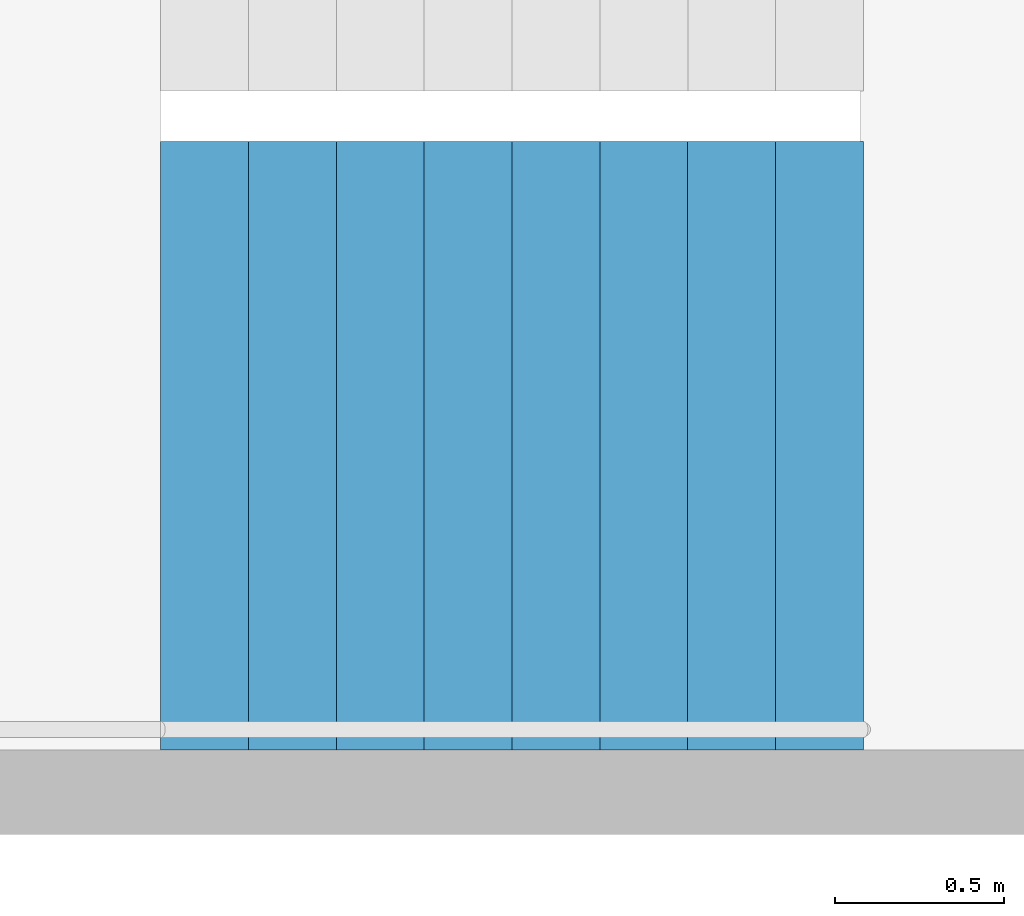
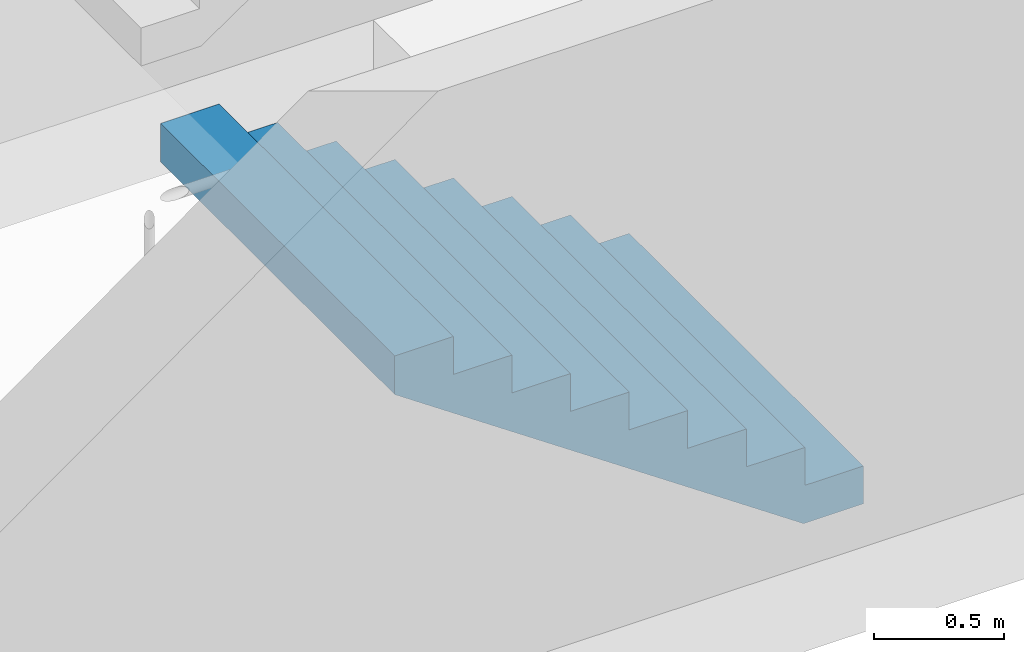
# One storey, part 26 of 34: 1 stair flight, 1 element without a shape of its own.
"""IFC4 building model written with IfcOpenShell, lengths in metres."""

from ifc_helpers import new_model, si_unit, direction, frame, origin, place, context, subcontext, project, spatial, triangles, material, type_object, element, aggregate, save


model = new_model("IFC4")

# Units and contexts
model_context = context("Model", 3, precision=1e-05, world=origin(), true_north=direction((0.0, 1.0)))
body_context = subcontext(model_context, "Body", "Model", "MODEL_VIEW")
ifc_project = project(units=[si_unit("LENGTHUNIT", "METRE"), si_unit("AREAUNIT", "SQUARE_METRE"), si_unit("VOLUMEUNIT", "CUBIC_METRE"), si_unit("PLANEANGLEUNIT", "RADIAN"), si_unit("MASSUNIT", "GRAM", prefix="KILO")], contexts=[model_context])

# Site, building, storey
site_placement = place(None, origin())
site = spatial("IfcSite", under=ifc_project, at=site_placement, CompositionType="ELEMENT")
building_placement = place(site_placement, origin())
building = spatial("IfcBuilding", under=site, at=building_placement, Name="Hakoniwa Tower and Hamabe Station Hall", CompositionType="ELEMENT")
storey_placement = place(building_placement, frame((0.0, 0.0, 94.60009765625)))
storey = spatial("IfcBuildingStorey", under=building, at=storey_placement, Name="L26", CompositionType="ELEMENT", Elevation=94.60009765625)

# Stair, stair flight
ifc_material_1 = material(Name="Concrete C40", Category="concrete")
stair_type = type_object("IfcStairType", Name="ESCAPE STAIR 1800", PredefinedType="HALF_TURN_STAIR", material=ifc_material_1)
stair_placement = place(storey_placement, origin())
stair = element("IfcStair", 1, at=stair_placement, inside=storey, type_object=stair_type, Name="Escape stair ST-3 L26", PredefinedType="HALF_TURN_STAIR")
ifc_material_2 = material(Name="Concrete C40", Category="concrete")
stair_flight_type = type_object("IfcStairFlightType", Name="STAIR FLIGHT 1800", PredefinedType="STRAIGHT", material=ifc_material_2)
stair_flight_placement = place(storey_placement, frame((24.39990234375, 4.64990234375, 0.0), z_axis=(0.0, 0.0, 1.0), x_axis=(-1.0, 0.0, 0.0)))
stair_flight = element("IfcStairFlight", 2, at=stair_flight_placement, type_object=stair_flight_type, Name="ST-3 flight 1", NumberOfRisers=9, NumberOfTreads=8, PredefinedType="STRAIGHT", RiserHeight=0.177777778, TreadLength=0.26, context=body_context, shape_type="Tessellation", body=[
    triangles([(0.0, 0.89990234375, 0.0), (0.260009765625, 0.89990234375, 0.0), (0.265625, 0.89990234375, 0.0), (0.52001953125, 0.89990234375, 0.174072265625), (0.780029296875, 0.89990234375, 0.351806640625), (1.0400390625, 0.89990234375, 0.529541015625), (1.300048828125, 0.89990234375, 0.707275390625), (1.56005859375, 0.89990234375, 0.885009765625), (1.820068359375, 0.89990234375, 1.062744140625), (2.080078125, 0.89990234375, 1.24072265625), (2.080078125, 0.89990234375, 1.422119140625), (1.820068359375, 0.89990234375, 1.422119140625), (1.820068359375, 0.89990234375, 1.244384765625), (1.56005859375, 0.89990234375, 1.244384765625), (1.56005859375, 0.89990234375, 1.066650390625), (1.300048828125, 0.89990234375, 1.066650390625), (1.300048828125, 0.89990234375, 0.888916015625), (1.0400390625, 0.89990234375, 0.888916015625), (1.0400390625, 0.89990234375, 0.711181640625), (0.780029296875, 0.89990234375, 0.711181640625), (0.780029296875, 0.89990234375, 0.533447265625), (0.52001953125, 0.89990234375, 0.533447265625), (0.52001953125, 0.89990234375, 0.35546875), (0.265625, 0.89990234375, 0.35546875), (0.260009765625, 0.89990234375, 0.35546875), (0.260009765625, 0.89990234375, 0.177734375), (0.0, 0.89990234375, 0.177734375), (0.0, 0.06005859375, 0.0), (0.260009765625, 0.06005859375, 0.0), (0.265625, 0.06005859375, 0.0), (0.52001953125, 0.06005859375, 0.174072265625), (0.780029296875, 0.06005859375, 0.351806640625), (1.0400390625, 0.06005859375, 0.529541015625), (1.300048828125, 0.06005859375, 0.707275390625), (1.56005859375, 0.06005859375, 0.885009765625), (1.820068359375, 0.06005859375, 1.062744140625), (2.080078125, 0.06005859375, 1.24072265625), (2.080078125, 0.06005859375, 1.422119140625), (1.820068359375, 0.06005859375, 1.422119140625), (1.820068359375, 0.06005859375, 1.244384765625), (1.56005859375, 0.06005859375, 1.244384765625), (1.56005859375, 0.06005859375, 1.066650390625), (1.300048828125, 0.06005859375, 1.066650390625), (1.300048828125, 0.06005859375, 0.888916015625), (1.0400390625, 0.06005859375, 0.888916015625), (1.0400390625, 0.06005859375, 0.711181640625), (0.780029296875, 0.06005859375, 0.711181640625), (0.780029296875, 0.06005859375, 0.533447265625), (0.52001953125, 0.06005859375, 0.533447265625), (0.52001953125, 0.06005859375, 0.35546875), (0.265625, 0.06005859375, 0.35546875), (0.260009765625, 0.06005859375, 0.35546875), (0.260009765625, 0.06005859375, 0.177734375), (0.0, 0.06005859375, 0.177734375), (0.0, 0.04296875, 0.0), (0.260009765625, 0.04296875, 0.0), (0.265625, 0.04296875, 0.0), (0.52001953125, 0.04296875, 0.174072265625), (0.780029296875, 0.04296875, 0.351806640625), (1.0400390625, 0.04296875, 0.529541015625), (1.300048828125, 0.04296875, 0.707275390625), (1.56005859375, 0.04296875, 0.885009765625), (1.820068359375, 0.04296875, 1.062744140625), (2.080078125, 0.04296875, 1.24072265625), (2.080078125, 0.04296875, 1.422119140625), (1.820068359375, 0.04296875, 1.422119140625), (1.820068359375, 0.04296875, 1.244384765625), (1.56005859375, 0.04296875, 1.244384765625), (1.56005859375, 0.04296875, 1.066650390625), (1.300048828125, 0.04296875, 1.066650390625), (1.300048828125, 0.04296875, 0.888916015625), (1.0400390625, 0.04296875, 0.888916015625), (1.0400390625, 0.04296875, 0.711181640625), (0.780029296875, 0.04296875, 0.711181640625), (0.780029296875, 0.04296875, 0.533447265625), (0.52001953125, 0.04296875, 0.533447265625), (0.52001953125, 0.04296875, 0.35546875), (0.265625, 0.04296875, 0.35546875), (0.260009765625, 0.04296875, 0.35546875), (0.260009765625, 0.04296875, 0.177734375), (0.0, 0.04296875, 0.177734375), (0.0, 0.025634765625, 0.0), (0.260009765625, 0.025634765625, 0.0), (0.265625, 0.025634765625, 0.0), (0.52001953125, 0.025634765625, 0.174072265625), (0.780029296875, 0.025634765625, 0.351806640625), (1.0400390625, 0.025634765625, 0.529541015625), (1.300048828125, 0.025634765625, 0.707275390625), (1.56005859375, 0.025634765625, 0.885009765625), (1.820068359375, 0.025634765625, 1.062744140625), (2.080078125, 0.025634765625, 1.24072265625), (2.080078125, 0.025634765625, 1.422119140625), (1.820068359375, 0.025634765625, 1.422119140625), (1.820068359375, 0.025634765625, 1.244384765625), (1.56005859375, 0.025634765625, 1.244384765625), (1.56005859375, 0.025634765625, 1.066650390625), (1.300048828125, 0.025634765625, 1.066650390625), (1.300048828125, 0.025634765625, 0.888916015625), (1.0400390625, 0.025634765625, 0.888916015625), (1.0400390625, 0.025634765625, 0.711181640625), (0.780029296875, 0.025634765625, 0.711181640625), (0.780029296875, 0.025634765625, 0.533447265625), (0.52001953125, 0.025634765625, 0.533447265625), (0.52001953125, 0.025634765625, 0.35546875), (0.265625, 0.025634765625, 0.35546875), (0.260009765625, 0.025634765625, 0.35546875), (0.260009765625, 0.025634765625, 0.177734375), (0.0, 0.025634765625, 0.177734375), (0.0, 0.008544921875, 0.0), (0.260009765625, 0.008544921875, 0.0), (0.265625, 0.008544921875, 0.0), (0.52001953125, 0.008544921875, 0.174072265625), (0.780029296875, 0.008544921875, 0.351806640625), (1.0400390625, 0.008544921875, 0.529541015625), (1.300048828125, 0.008544921875, 0.707275390625), (1.56005859375, 0.008544921875, 0.885009765625), (1.820068359375, 0.008544921875, 1.062744140625), (2.080078125, 0.008544921875, 1.24072265625), (2.080078125, 0.008544921875, 1.422119140625), (1.820068359375, 0.008544921875, 1.422119140625), (1.820068359375, 0.008544921875, 1.244384765625), (1.56005859375, 0.008544921875, 1.244384765625), (1.56005859375, 0.008544921875, 1.066650390625), (1.300048828125, 0.008544921875, 1.066650390625), (1.300048828125, 0.008544921875, 0.888916015625), (1.0400390625, 0.008544921875, 0.888916015625), (1.0400390625, 0.008544921875, 0.711181640625), (0.780029296875, 0.008544921875, 0.711181640625), (0.780029296875, 0.008544921875, 0.533447265625), (0.52001953125, 0.008544921875, 0.533447265625), (0.52001953125, 0.008544921875, 0.35546875), (0.265625, 0.008544921875, 0.35546875), (0.260009765625, 0.008544921875, 0.35546875), (0.260009765625, 0.008544921875, 0.177734375), (0.0, 0.008544921875, 0.177734375), (0.0, -0.008544921875, 0.0), (0.260009765625, -0.008544921875, 0.0), (0.265625, -0.008544921875, 0.0), (0.52001953125, -0.008544921875, 0.174072265625), (0.780029296875, -0.008544921875, 0.351806640625), (1.0400390625, -0.008544921875, 0.529541015625), (1.300048828125, -0.008544921875, 0.707275390625), (1.56005859375, -0.008544921875, 0.885009765625), (1.820068359375, -0.008544921875, 1.062744140625), (2.080078125, -0.008544921875, 1.24072265625), (2.080078125, -0.008544921875, 1.422119140625), (1.820068359375, -0.008544921875, 1.422119140625), (1.820068359375, -0.008544921875, 1.244384765625), (1.56005859375, -0.008544921875, 1.244384765625), (1.56005859375, -0.008544921875, 1.066650390625), (1.300048828125, -0.008544921875, 1.066650390625), (1.300048828125, -0.008544921875, 0.888916015625), (1.0400390625, -0.008544921875, 0.888916015625), (1.0400390625, -0.008544921875, 0.711181640625), (0.780029296875, -0.008544921875, 0.711181640625), (0.780029296875, -0.008544921875, 0.533447265625), (0.52001953125, -0.008544921875, 0.533447265625), (0.52001953125, -0.008544921875, 0.35546875), (0.265625, -0.008544921875, 0.35546875), (0.260009765625, -0.008544921875, 0.35546875), (0.260009765625, -0.008544921875, 0.177734375), (0.0, -0.008544921875, 0.177734375), (0.0, -0.025634765625, 0.0), (0.260009765625, -0.025634765625, 0.0), (0.265625, -0.025634765625, 0.0), (0.52001953125, -0.025634765625, 0.174072265625), (0.780029296875, -0.025634765625, 0.351806640625), (1.0400390625, -0.025634765625, 0.529541015625), (1.300048828125, -0.025634765625, 0.707275390625), (1.56005859375, -0.025634765625, 0.885009765625), (1.820068359375, -0.025634765625, 1.062744140625), (2.080078125, -0.025634765625, 1.24072265625), (2.080078125, -0.025634765625, 1.422119140625), (1.820068359375, -0.025634765625, 1.422119140625), (1.820068359375, -0.025634765625, 1.244384765625), (1.56005859375, -0.025634765625, 1.244384765625), (1.56005859375, -0.025634765625, 1.066650390625), (1.300048828125, -0.025634765625, 1.066650390625), (1.300048828125, -0.025634765625, 0.888916015625), (1.0400390625, -0.025634765625, 0.888916015625), (1.0400390625, -0.025634765625, 0.711181640625), (0.780029296875, -0.025634765625, 0.711181640625), (0.780029296875, -0.025634765625, 0.533447265625), (0.52001953125, -0.025634765625, 0.533447265625), (0.52001953125, -0.025634765625, 0.35546875), (0.265625, -0.025634765625, 0.35546875), (0.260009765625, -0.025634765625, 0.35546875), (0.260009765625, -0.025634765625, 0.177734375), (0.0, -0.025634765625, 0.177734375), (0.0, -0.04296875, 0.0), (0.260009765625, -0.04296875, 0.0), (0.265625, -0.04296875, 0.0), (0.52001953125, -0.04296875, 0.174072265625), (0.780029296875, -0.04296875, 0.351806640625), (1.0400390625, -0.04296875, 0.529541015625), (1.300048828125, -0.04296875, 0.707275390625), (1.56005859375, -0.04296875, 0.885009765625), (1.820068359375, -0.04296875, 1.062744140625), (2.080078125, -0.04296875, 1.24072265625), (2.080078125, -0.04296875, 1.422119140625), (1.820068359375, -0.04296875, 1.422119140625), (1.820068359375, -0.04296875, 1.244384765625), (1.56005859375, -0.04296875, 1.244384765625), (1.56005859375, -0.04296875, 1.066650390625), (1.300048828125, -0.04296875, 1.066650390625), (1.300048828125, -0.04296875, 0.888916015625), (1.0400390625, -0.04296875, 0.888916015625), (1.0400390625, -0.04296875, 0.711181640625), (0.780029296875, -0.04296875, 0.711181640625), (0.780029296875, -0.04296875, 0.533447265625), (0.52001953125, -0.04296875, 0.533447265625), (0.52001953125, -0.04296875, 0.35546875), (0.265625, -0.04296875, 0.35546875), (0.260009765625, -0.04296875, 0.35546875), (0.260009765625, -0.04296875, 0.177734375), (0.0, -0.04296875, 0.177734375), (0.0, -0.06005859375, 0.0), (0.260009765625, -0.06005859375, 0.0), (0.265625, -0.06005859375, 0.0), (0.52001953125, -0.06005859375, 0.174072265625), (0.780029296875, -0.06005859375, 0.351806640625), (1.0400390625, -0.06005859375, 0.529541015625), (1.300048828125, -0.06005859375, 0.707275390625), (1.56005859375, -0.06005859375, 0.885009765625), (1.820068359375, -0.06005859375, 1.062744140625), (2.080078125, -0.06005859375, 1.24072265625), (2.080078125, -0.06005859375, 1.422119140625), (1.820068359375, -0.06005859375, 1.422119140625), (1.820068359375, -0.06005859375, 1.244384765625), (1.56005859375, -0.06005859375, 1.244384765625), (1.56005859375, -0.06005859375, 1.066650390625), (1.300048828125, -0.06005859375, 1.066650390625), (1.300048828125, -0.06005859375, 0.888916015625), (1.0400390625, -0.06005859375, 0.888916015625), (1.0400390625, -0.06005859375, 0.711181640625), (0.780029296875, -0.06005859375, 0.711181640625), (0.780029296875, -0.06005859375, 0.533447265625), (0.52001953125, -0.06005859375, 0.533447265625), (0.52001953125, -0.06005859375, 0.35546875), (0.265625, -0.06005859375, 0.35546875), (0.260009765625, -0.06005859375, 0.35546875), (0.260009765625, -0.06005859375, 0.177734375), (0.0, -0.06005859375, 0.177734375), (0.0, -0.89990234375, 0.0), (0.260009765625, -0.89990234375, 0.0), (0.265625, -0.89990234375, 0.0), (0.52001953125, -0.89990234375, 0.174072265625), (0.780029296875, -0.89990234375, 0.351806640625), (1.0400390625, -0.89990234375, 0.529541015625), (1.300048828125, -0.89990234375, 0.707275390625), (1.56005859375, -0.89990234375, 0.885009765625), (1.820068359375, -0.89990234375, 1.062744140625), (2.080078125, -0.89990234375, 1.24072265625), (2.080078125, -0.89990234375, 1.422119140625), (1.820068359375, -0.89990234375, 1.422119140625), (1.820068359375, -0.89990234375, 1.244384765625), (1.56005859375, -0.89990234375, 1.244384765625), (1.56005859375, -0.89990234375, 1.066650390625), (1.300048828125, -0.89990234375, 1.066650390625), (1.300048828125, -0.89990234375, 0.888916015625), (1.0400390625, -0.89990234375, 0.888916015625), (1.0400390625, -0.89990234375, 0.711181640625), (0.780029296875, -0.89990234375, 0.711181640625), (0.780029296875, -0.89990234375, 0.533447265625), (0.52001953125, -0.89990234375, 0.533447265625), (0.52001953125, -0.89990234375, 0.35546875), (0.265625, -0.89990234375, 0.35546875), (0.260009765625, -0.89990234375, 0.35546875), (0.260009765625, -0.89990234375, 0.177734375), (0.0, -0.89990234375, 0.177734375)], [[2, 27, 26], [245, 269, 270], [2, 1, 27], [245, 270, 244], [3, 25, 24], [246, 267, 268], [3, 26, 25], [246, 268, 269], [3, 2, 26], [246, 269, 245], [4, 24, 23], [247, 266, 267], [4, 3, 24], [247, 267, 246], [5, 22, 21], [248, 264, 265], [5, 23, 22], [248, 265, 266], [5, 4, 23], [248, 266, 247], [6, 20, 19], [249, 262, 263], [6, 21, 20], [249, 263, 264], [6, 5, 21], [249, 264, 248], [7, 18, 17], [250, 260, 261], [7, 19, 18], [250, 261, 262], [7, 6, 19], [250, 262, 249], [8, 16, 15], [251, 258, 259], [8, 17, 16], [251, 259, 260], [8, 7, 17], [251, 260, 250], [9, 14, 13], [252, 256, 257], [9, 15, 14], [252, 257, 258], [9, 8, 15], [252, 258, 251], [10, 12, 11], [253, 254, 255], [10, 13, 12], [253, 255, 256], [10, 9, 13], [253, 256, 252], [1, 2, 29], [1, 29, 28], [28, 29, 56], [28, 56, 55], [55, 56, 83], [55, 83, 82], [82, 83, 110], [82, 110, 109], [109, 110, 137], [109, 137, 136], [136, 137, 164], [136, 164, 163], [163, 164, 191], [163, 191, 190], [190, 191, 218], [190, 218, 217], [217, 218, 245], [217, 245, 244], [2, 3, 30], [2, 30, 29], [29, 30, 57], [29, 57, 56], [56, 57, 84], [56, 84, 83], [83, 84, 111], [83, 111, 110], [110, 111, 138], [110, 138, 137], [137, 138, 165], [137, 165, 164], [164, 165, 192], [164, 192, 191], [191, 192, 219], [191, 219, 218], [218, 219, 246], [218, 246, 245], [3, 4, 31], [3, 31, 30], [30, 31, 58], [30, 58, 57], [57, 58, 85], [57, 85, 84], [84, 85, 112], [84, 112, 111], [111, 112, 139], [111, 139, 138], [138, 139, 166], [138, 166, 165], [165, 166, 193], [165, 193, 192], [192, 193, 220], [192, 220, 219], [219, 220, 247], [219, 247, 246], [4, 5, 32], [4, 32, 31], [31, 32, 59], [31, 59, 58], [58, 59, 86], [58, 86, 85], [85, 86, 113], [85, 113, 112], [112, 113, 140], [112, 140, 139], [139, 140, 167], [139, 167, 166], [166, 167, 194], [166, 194, 193], [193, 194, 221], [193, 221, 220], [220, 221, 248], [220, 248, 247], [5, 6, 33], [5, 33, 32], [32, 33, 60], [32, 60, 59], [59, 60, 87], [59, 87, 86], [86, 87, 114], [86, 114, 113], [113, 114, 141], [113, 141, 140], [140, 141, 168], [140, 168, 167], [167, 168, 195], [167, 195, 194], [194, 195, 222], [194, 222, 221], [221, 222, 249], [221, 249, 248], [6, 7, 34], [6, 34, 33], [33, 34, 61], [33, 61, 60], [60, 61, 88], [60, 88, 87], [87, 88, 115], [87, 115, 114], [114, 115, 142], [114, 142, 141], [141, 142, 169], [141, 169, 168], [168, 169, 196], [168, 196, 195], [195, 196, 223], [195, 223, 222], [222, 223, 250], [222, 250, 249], [7, 8, 35], [7, 35, 34], [34, 35, 62], [34, 62, 61], [61, 62, 89], [61, 89, 88], [88, 89, 116], [88, 116, 115], [115, 116, 143], [115, 143, 142], [142, 143, 170], [142, 170, 169], [169, 170, 197], [169, 197, 196], [196, 197, 224], [196, 224, 223], [223, 224, 251], [223, 251, 250], [8, 9, 36], [8, 36, 35], [35, 36, 63], [35, 63, 62], [62, 63, 90], [62, 90, 89], [89, 90, 117], [89, 117, 116], [116, 117, 144], [116, 144, 143], [143, 144, 171], [143, 171, 170], [170, 171, 198], [170, 198, 197], [197, 198, 225], [197, 225, 224], [224, 225, 252], [224, 252, 251], [9, 10, 37], [9, 37, 36], [36, 37, 64], [36, 64, 63], [63, 64, 91], [63, 91, 90], [90, 91, 118], [90, 118, 117], [117, 118, 145], [117, 145, 144], [144, 145, 172], [144, 172, 171], [171, 172, 199], [171, 199, 198], [198, 199, 226], [198, 226, 225], [225, 226, 253], [225, 253, 252], [10, 11, 38], [10, 38, 37], [37, 38, 65], [37, 65, 64], [64, 65, 92], [64, 92, 91], [91, 92, 119], [91, 119, 118], [118, 119, 146], [118, 146, 145], [145, 146, 173], [145, 173, 172], [172, 173, 200], [172, 200, 199], [199, 200, 227], [199, 227, 226], [226, 227, 254], [226, 254, 253], [11, 12, 39], [11, 39, 38], [38, 39, 66], [38, 66, 65], [65, 66, 93], [65, 93, 92], [92, 93, 120], [92, 120, 119], [119, 120, 147], [119, 147, 146], [146, 147, 174], [146, 174, 173], [173, 174, 201], [173, 201, 200], [200, 201, 228], [200, 228, 227], [227, 228, 255], [227, 255, 254], [12, 13, 40], [12, 40, 39], [39, 40, 67], [39, 67, 66], [66, 67, 94], [66, 94, 93], [93, 94, 121], [93, 121, 120], [120, 121, 148], [120, 148, 147], [147, 148, 175], [147, 175, 174], [174, 175, 202], [174, 202, 201], [201, 202, 229], [201, 229, 228], [228, 229, 256], [228, 256, 255], [13, 14, 41], [13, 41, 40], [40, 41, 68], [40, 68, 67], [67, 68, 95], [67, 95, 94], [94, 95, 122], [94, 122, 121], [121, 122, 149], [121, 149, 148], [148, 149, 176], [148, 176, 175], [175, 176, 203], [175, 203, 202], [202, 203, 230], [202, 230, 229], [229, 230, 257], [229, 257, 256], [14, 15, 42], [14, 42, 41], [41, 42, 69], [41, 69, 68], [68, 69, 96], [68, 96, 95], [95, 96, 123], [95, 123, 122], [122, 123, 150], [122, 150, 149], [149, 150, 177], [149, 177, 176], [176, 177, 204], [176, 204, 203], [203, 204, 231], [203, 231, 230], [230, 231, 258], [230, 258, 257], [15, 16, 43], [15, 43, 42], [42, 43, 70], [42, 70, 69], [69, 70, 97], [69, 97, 96], [96, 97, 124], [96, 124, 123], [123, 124, 151], [123, 151, 150], [150, 151, 178], [150, 178, 177], [177, 178, 205], [177, 205, 204], [204, 205, 232], [204, 232, 231], [231, 232, 259], [231, 259, 258], [16, 17, 44], [16, 44, 43], [43, 44, 71], [43, 71, 70], [70, 71, 98], [70, 98, 97], [97, 98, 125], [97, 125, 124], [124, 125, 152], [124, 152, 151], [151, 152, 179], [151, 179, 178], [178, 179, 206], [178, 206, 205], [205, 206, 233], [205, 233, 232], [232, 233, 260], [232, 260, 259], [17, 18, 45], [17, 45, 44], [44, 45, 72], [44, 72, 71], [71, 72, 99], [71, 99, 98], [98, 99, 126], [98, 126, 125], [125, 126, 153], [125, 153, 152], [152, 153, 180], [152, 180, 179], [179, 180, 207], [179, 207, 206], [206, 207, 234], [206, 234, 233], [233, 234, 261], [233, 261, 260], [18, 19, 46], [18, 46, 45], [45, 46, 73], [45, 73, 72], [72, 73, 100], [72, 100, 99], [99, 100, 127], [99, 127, 126], [126, 127, 154], [126, 154, 153], [153, 154, 181], [153, 181, 180], [180, 181, 208], [180, 208, 207], [207, 208, 235], [207, 235, 234], [234, 235, 262], [234, 262, 261], [19, 20, 47], [19, 47, 46], [46, 47, 74], [46, 74, 73], [73, 74, 101], [73, 101, 100], [100, 101, 128], [100, 128, 127], [127, 128, 155], [127, 155, 154], [154, 155, 182], [154, 182, 181], [181, 182, 209], [181, 209, 208], [208, 209, 236], [208, 236, 235], [235, 236, 263], [235, 263, 262], [20, 21, 48], [20, 48, 47], [47, 48, 75], [47, 75, 74], [74, 75, 102], [74, 102, 101], [101, 102, 129], [101, 129, 128], [128, 129, 156], [128, 156, 155], [155, 156, 183], [155, 183, 182], [182, 183, 210], [182, 210, 209], [209, 210, 237], [209, 237, 236], [236, 237, 264], [236, 264, 263], [21, 22, 49], [21, 49, 48], [48, 49, 76], [48, 76, 75], [75, 76, 103], [75, 103, 102], [102, 103, 130], [102, 130, 129], [129, 130, 157], [129, 157, 156], [156, 157, 184], [156, 184, 183], [183, 184, 211], [183, 211, 210], [210, 211, 238], [210, 238, 237], [237, 238, 265], [237, 265, 264], [22, 23, 50], [22, 50, 49], [49, 50, 77], [49, 77, 76], [76, 77, 104], [76, 104, 103], [103, 104, 131], [103, 131, 130], [130, 131, 158], [130, 158, 157], [157, 158, 185], [157, 185, 184], [184, 185, 212], [184, 212, 211], [211, 212, 239], [211, 239, 238], [238, 239, 266], [238, 266, 265], [23, 24, 51], [23, 51, 50], [50, 51, 78], [50, 78, 77], [77, 78, 105], [77, 105, 104], [104, 105, 132], [104, 132, 131], [131, 132, 159], [131, 159, 158], [158, 159, 186], [158, 186, 185], [185, 186, 213], [185, 213, 212], [212, 213, 240], [212, 240, 239], [239, 240, 267], [239, 267, 266], [24, 25, 52], [24, 52, 51], [51, 52, 79], [51, 79, 78], [78, 79, 106], [78, 106, 105], [105, 106, 133], [105, 133, 132], [132, 133, 160], [132, 160, 159], [159, 160, 187], [159, 187, 186], [186, 187, 214], [186, 214, 213], [213, 214, 241], [213, 241, 240], [240, 241, 268], [240, 268, 267], [25, 26, 53], [25, 53, 52], [52, 53, 80], [52, 80, 79], [79, 80, 107], [79, 107, 106], [106, 107, 134], [106, 134, 133], [133, 134, 161], [133, 161, 160], [160, 161, 188], [160, 188, 187], [187, 188, 215], [187, 215, 214], [214, 215, 242], [214, 242, 241], [241, 242, 269], [241, 269, 268], [26, 27, 54], [26, 54, 53], [53, 54, 81], [53, 81, 80], [80, 81, 108], [80, 108, 107], [107, 108, 135], [107, 135, 134], [134, 135, 162], [134, 162, 161], [161, 162, 189], [161, 189, 188], [188, 189, 216], [188, 216, 215], [215, 216, 243], [215, 243, 242], [242, 243, 270], [242, 270, 269], [27, 1, 28], [27, 28, 54], [54, 28, 55], [54, 55, 81], [81, 55, 82], [81, 82, 108], [108, 82, 109], [108, 109, 135], [135, 109, 136], [135, 136, 162], [162, 136, 163], [162, 163, 189], [189, 163, 190], [189, 190, 216], [216, 190, 217], [216, 217, 243], [243, 217, 244], [243, 244, 270]], closed=True),
])
aggregate(stair, [stair_flight])

save(model, "model.ifc")
